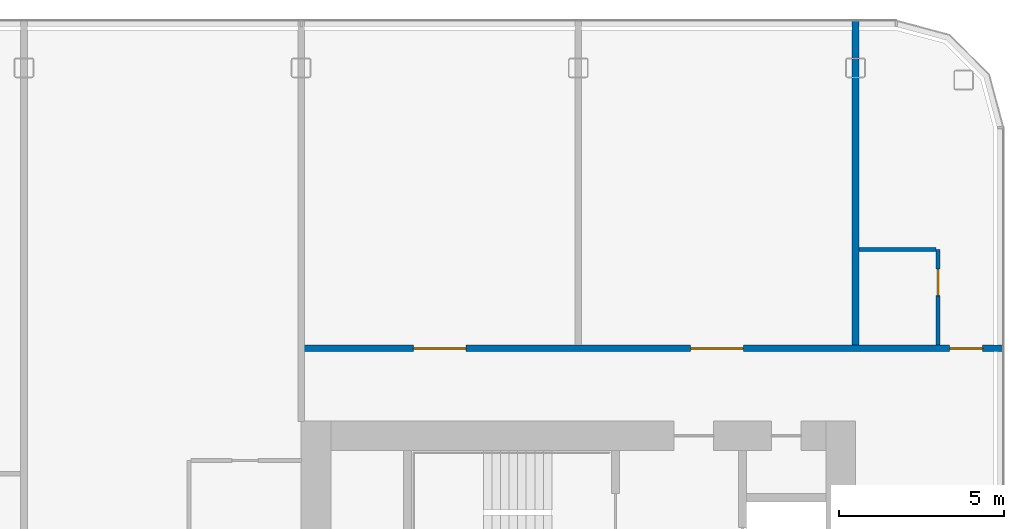
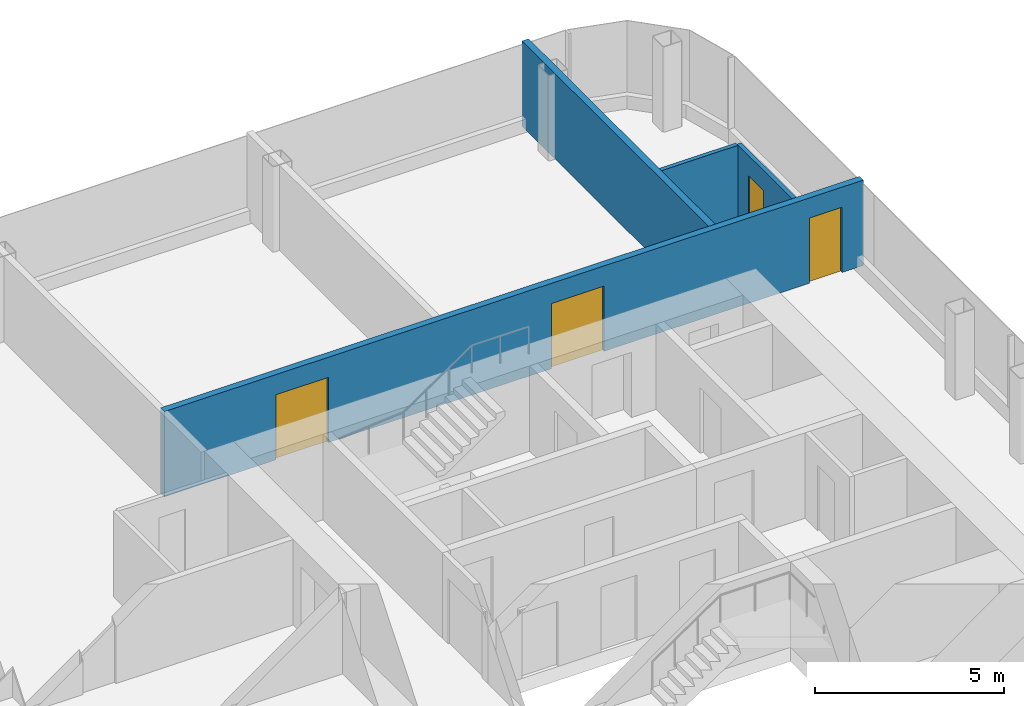
# One storey, part 17 of 26: 4 doors, 4 walls, 4 openings.
"""IFC4 building model written with IfcOpenShell, lengths in metres."""

from ifc_helpers import new_model, si_unit, direction, frame, frame_2d, origin, place, context, subcontext, project, spatial, rectangle, extrude, material, layer, layer_set, type_object, element, fill, save


model = new_model("IFC4")

# Units and contexts
model_context = context("Model", 3, precision=1e-05, world=origin(), true_north=direction((0.0, 1.0)))
body_context = subcontext(model_context, "Body", "Model", "MODEL_VIEW")
ifc_project = project(units=[si_unit("LENGTHUNIT", "METRE"), si_unit("AREAUNIT", "SQUARE_METRE"), si_unit("VOLUMEUNIT", "CUBIC_METRE"), si_unit("PLANEANGLEUNIT", "RADIAN"), si_unit("MASSUNIT", "GRAM", prefix="KILO")], contexts=[model_context])

# Site, building, storey
site_placement = place(None, origin())
site = spatial("IfcSite", under=ifc_project, at=site_placement, CompositionType="ELEMENT")
building_placement = place(site_placement, origin())
building = spatial("IfcBuilding", under=site, at=building_placement, Name="Hakoniwa Tower and Hamabe Station Hall", CompositionType="ELEMENT")
storey_placement = place(building_placement, frame((0.0, 0.0, 212.199951171875)))
storey = spatial("IfcBuildingStorey", under=building, at=storey_placement, Name="L60", CompositionType="ELEMENT", Elevation=212.199951171875)

# Wall
ifc_material_1 = material(Name="Gypsum board partition", Category="gypsum")
ifc_layer_1 = layer(ifc_material_1, 0.125)
ifc_layer_set_1 = layer_set([ifc_layer_1], Name="Bathroom Partition 125")
wall_type_1 = type_object("IfcWallType", Name="Bathroom Partition 125", PredefinedType="PARTITIONING", material=ifc_layer_set_1)
wall_1_placement = place(storey_placement, frame((33.699951171875, 13.60009765625, 0.0), z_axis=(0.0, 0.0, 1.0), x_axis=(1.0, 0.0, 0.0)))
element("IfcWall", 1, at=wall_1_placement, inside=storey, type_object=wall_type_1, Name="GW-L60-017", PredefinedType="PARTITIONING", context=body_context, shape_type="SweptSolid", body=[
    extrude(rectangle(XDim=2.337646484375, YDim=0.125, at=frame_2d((1.1689453125, 0.0))), origin(), (0.0, 0.0, 1.0), 2.75),
])

# Wall, opening, door
wall_2_placement = place(storey_placement, frame((36.10009765625, 10.699951171875, 0.0), z_axis=(0.0, 0.0, 1.0), x_axis=(0.0, 1.0, 0.0)))
wall_2 = element("IfcWall", 2, at=wall_2_placement, inside=storey, type_object=wall_type_1, Name="GW-L60-054", PredefinedType="PARTITIONING", context=body_context, shape_type="SweptSolid", body=[
    extrude(rectangle(XDim=2.900146484375, YDim=0.125, at=frame_2d((1.4501953125, 0.0))), origin(), (0.0, 0.0, 1.0), 2.75),
])
opening_1_placement = place(wall_2_placement, frame((1.5, 0.0, 0.0)))
opening_1 = element("IfcOpeningElement", 3, at=opening_1_placement, cuts=wall_2, Name="Opening GD-G4D1-39", PredefinedType="OPENING", context=body_context, shape_type="SweptSolid", body=[
    extrude(rectangle(XDim=0.800048828125, YDim=2.10009765625, at=frame_2d((0.39990234375, 1.050048828125))), frame((0.0, 0.072509765625, 0.0), z_axis=(0.0, -1.0, 0.0), x_axis=(1.0, 0.0, 0.0)), (0.0, 0.0, 1.0), 0.14501953125),
])
ifc_material_2 = material(Name="Timber door leaf", Category="wood")
door_type_1 = type_object("IfcDoorType", Name="Bathroom Door 800", OperationType="SINGLE_SWING_LEFT", PredefinedType="DOOR", material=ifc_material_2)
door_1_placement = place(opening_1_placement, origin())
door_1 = element("IfcDoor", 4, at=door_1_placement, inside=storey, type_object=door_type_1, Name="Door GD-G4D1-39", OperationType="SINGLE_SWING_LEFT", OverallHeight=2.10009765625, OverallWidth=0.800048828125, PredefinedType="DOOR", context=body_context, shape_type="SweptSolid", body=[
    extrude(rectangle(XDim=0.800048828125, YDim=2.10009765625, at=frame_2d((0.39990234375, 1.050048828125))), frame((0.0, 0.02490234375, 0.0), z_axis=(0.0, -1.0, 0.0), x_axis=(1.0, 0.0, 0.0)), (0.0, 0.0, 1.0), 0.050048828125),
])
fill(opening_1, door_1)

# Wall, openings, doors
ifc_material_3 = material(Name="Fire-rated gypsum board partition", Category="gypsum")
ifc_layer_2 = layer(ifc_material_3, 0.199951171875)
ifc_layer_set_2 = layer_set([ifc_layer_2], Name="Corridor Wall 200")
wall_type_2 = type_object("IfcWallType", Name="Corridor Wall 200", PredefinedType="PARTITIONING", material=ifc_layer_set_2)
wall_3_placement = place(storey_placement, frame((16.800048828125, 10.60009765625, 0.0), z_axis=(0.0, 0.0, 1.0), x_axis=(1.0, 0.0, 0.0)))
wall_3 = element("IfcWall", 5, at=wall_3_placement, inside=storey, type_object=wall_type_2, Name="GW-L60-016", PredefinedType="PARTITIONING", context=body_context, shape_type="SweptSolid", body=[
    extrude(rectangle(XDim=21.300048828125, YDim=0.199951171875, at=frame_2d((10.64990234375, 0.0))), origin(), (0.0, 0.0, 1.0), 2.75),
])
opening_2_placement = place(wall_3_placement, frame((3.39990234375, 0.0, 0.0)))
opening_2 = element("IfcOpeningElement", 6, at=opening_2_placement, cuts=wall_3, Name="Opening GD-G4D1-29", PredefinedType="OPENING", context=body_context, shape_type="SweptSolid", body=[
    extrude(rectangle(XDim=1.60009765625, YDim=2.10009765625, at=frame_2d((0.800048828125, 1.050048828125))), frame((0.0, 0.10986328125, 0.0), z_axis=(0.0, -1.0, 0.0), x_axis=(1.0, 0.0, 0.0)), (0.0, 0.0, 1.0), 0.219970703125),
])
opening_3_placement = place(wall_3_placement, frame((11.800048828125, 0.0, 0.0)))
opening_3 = element("IfcOpeningElement", 7, at=opening_3_placement, cuts=wall_3, Name="Opening GD-G4D1-30", PredefinedType="OPENING", context=body_context, shape_type="SweptSolid", body=[
    extrude(rectangle(XDim=1.60009765625, YDim=2.10009765625, at=frame_2d((0.800048828125, 1.050048828125))), frame((0.0, 0.10986328125, 0.0), z_axis=(0.0, -1.0, 0.0), x_axis=(1.0, 0.0, 0.0)), (0.0, 0.0, 1.0), 0.219970703125),
])
opening_4_placement = place(wall_3_placement, frame((19.64990234375, 0.0, 0.0)))
opening_4 = element("IfcOpeningElement", 8, at=opening_4_placement, cuts=wall_3, Name="Opening GD-G4D1-31", PredefinedType="OPENING", context=body_context, shape_type="SweptSolid", body=[
    extrude(rectangle(XDim=1.0, YDim=2.10009765625, at=frame_2d((0.5, 1.050048828125))), frame((0.0, 0.10986328125, 0.0), z_axis=(0.0, -1.0, 0.0), x_axis=(1.0, 0.0, 0.0)), (0.0, 0.0, 1.0), 0.219970703125),
])
ifc_material_4 = material(Name="Timber door leaf", Category="wood")
door_type_2 = type_object("IfcDoorType", Name="Double Door 1600", OperationType="DOUBLE_DOOR_SINGLE_SWING", PredefinedType="DOOR", material=ifc_material_4)
door_2_placement = place(opening_2_placement, origin())
door_2 = element("IfcDoor", 9, at=door_2_placement, inside=storey, type_object=door_type_2, Name="Door GD-G4D1-29", OperationType="DOUBLE_DOOR_SINGLE_SWING", OverallHeight=2.10009765625, OverallWidth=1.60009765625, PredefinedType="DOOR", context=body_context, shape_type="SweptSolid", body=[
    extrude(rectangle(XDim=1.60009765625, YDim=2.10009765625, at=frame_2d((0.800048828125, 1.050048828125))), frame((0.0, 0.02490234375, 0.0), z_axis=(0.0, -1.0, 0.0), x_axis=(1.0, 0.0, 0.0)), (0.0, 0.0, 1.0), 0.050048828125),
])
fill(opening_2, door_2)
door_3_placement = place(opening_3_placement, origin())
door_3 = element("IfcDoor", 10, at=door_3_placement, inside=storey, type_object=door_type_2, Name="Door GD-G4D1-30", OperationType="DOUBLE_DOOR_SINGLE_SWING", OverallHeight=2.10009765625, OverallWidth=1.60009765625, PredefinedType="DOOR", context=body_context, shape_type="SweptSolid", body=[
    extrude(rectangle(XDim=1.60009765625, YDim=2.10009765625, at=frame_2d((0.800048828125, 1.050048828125))), frame((0.0, 0.02490234375, 0.0), z_axis=(0.0, -1.0, 0.0), x_axis=(1.0, 0.0, 0.0)), (0.0, 0.0, 1.0), 0.050048828125),
])
fill(opening_3, door_3)
ifc_material_5 = material(Name="Timber door leaf", Category="wood")
door_type_3 = type_object("IfcDoorType", Name="Guest Entrance Door 1000", OperationType="SINGLE_SWING_LEFT", PredefinedType="DOOR", material=ifc_material_5)
door_4_placement = place(opening_4_placement, origin())
door_4 = element("IfcDoor", 11, at=door_4_placement, inside=storey, type_object=door_type_3, Name="Door GD-G4D1-31", OperationType="SINGLE_SWING_RIGHT", OverallHeight=2.10009765625, OverallWidth=1.0, PredefinedType="DOOR", context=body_context, shape_type="SweptSolid", body=[
    extrude(rectangle(XDim=1.0, YDim=2.10009765625, at=frame_2d((0.5, 1.050048828125))), frame((0.0, 0.02490234375, 0.0), z_axis=(0.0, -1.0, 0.0), x_axis=(1.0, 0.0, 0.0)), (0.0, 0.0, 1.0), 0.050048828125),
])
fill(opening_4, door_4)

# Wall
ifc_material_6 = material(Name="Fire-rated gypsum board partition", Category="gypsum")
ifc_layer_3 = layer(ifc_material_6, 0.199951171875)
ifc_layer_set_3 = layer_set([ifc_layer_3], Name="Party Wall 200")
wall_type_3 = type_object("IfcWallType", Name="Party Wall 200", PredefinedType="PARTITIONING", material=ifc_layer_set_3)
wall_4_placement = place(storey_placement, frame((33.60009765625, 10.699951171875, 0.0), z_axis=(0.0, 0.0, 1.0), x_axis=(0.0, 1.0, 0.0)))
element("IfcWall", 12, at=wall_4_placement, inside=storey, type_object=wall_type_3, Name="GW-L60-053", PredefinedType="PARTITIONING", context=body_context, shape_type="SweptSolid", body=[
    extrude(rectangle(XDim=9.85009765625, YDim=0.199951171875, at=frame_2d((4.925048828125, 0.0))), origin(), (0.0, 0.0, 1.0), 2.75),
])

save(model, "model.ifc")
